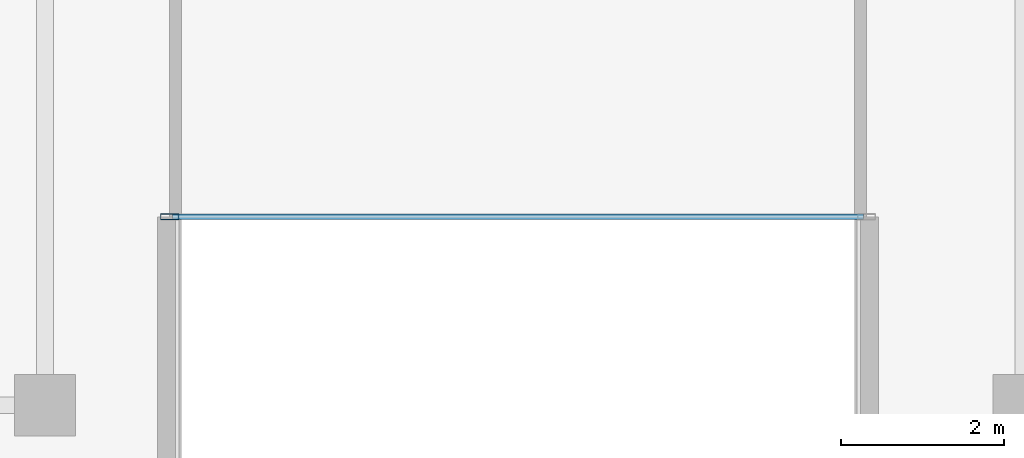
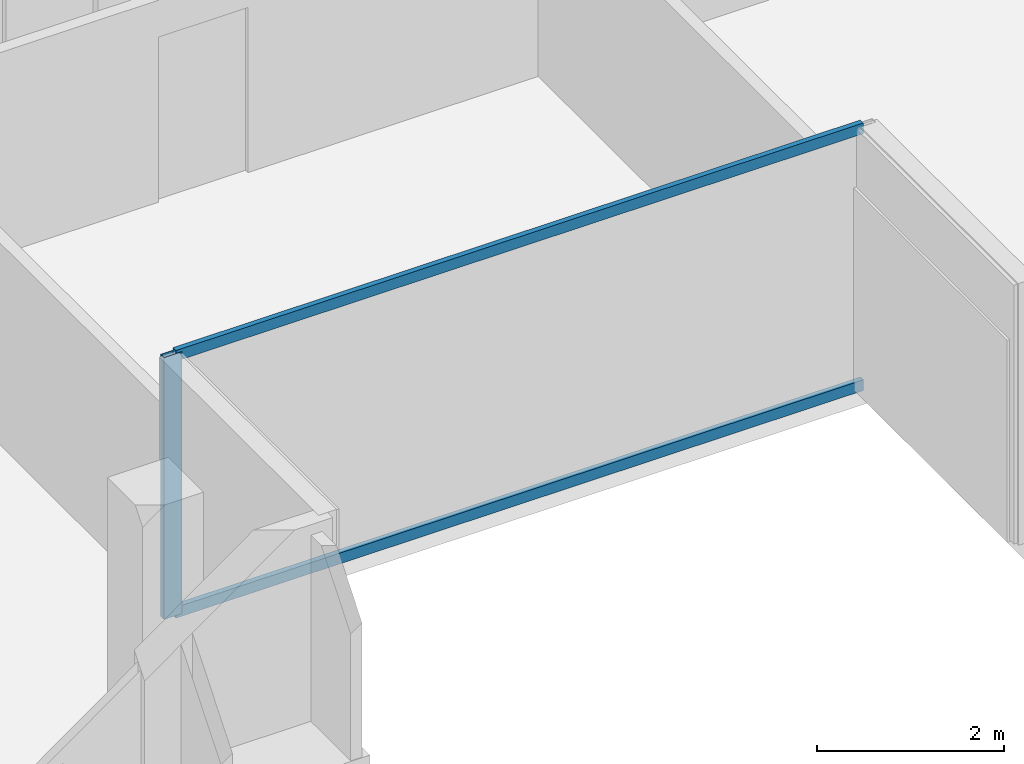
# One storey, part 2 of 23: 3 members, 1 element without a shape of its own.
"""IFC4 building model written with IfcOpenShell, lengths in metres."""

from ifc_helpers import new_model, si_unit, direction, frame, origin, origin_2d, place, context, subcontext, project, spatial, hollow_rectangle, extrude, material, layer, layer_set, material_profile, profile_set, type_object, element, aggregate, save


model = new_model("IFC4")

# Units and contexts
model_context = context("Model", 3, precision=1e-05, world=origin(), true_north=direction((0.0, 1.0)))
body_context = subcontext(model_context, "Body", "Model", "MODEL_VIEW")
ifc_project = project(units=[si_unit("LENGTHUNIT", "METRE"), si_unit("AREAUNIT", "SQUARE_METRE"), si_unit("VOLUMEUNIT", "CUBIC_METRE"), si_unit("PLANEANGLEUNIT", "RADIAN"), si_unit("MASSUNIT", "GRAM", prefix="KILO")], contexts=[model_context])

# Site, building, storey
site_placement = place(None, origin())
site = spatial("IfcSite", under=ifc_project, at=site_placement, CompositionType="ELEMENT")
building_placement = place(site_placement, origin())
building = spatial("IfcBuilding", under=site, at=building_placement, Name="Tanjung Sevakor Pilgrim Tower", CompositionType="ELEMENT")
storey_placement = place(building_placement, frame((0.0, 0.0, 215.489990234375)))
storey = spatial("IfcBuildingStorey", under=building, at=storey_placement, Name="L60", CompositionType="ELEMENT", Elevation=215.489990234375)

# Curtain wall, members
ifc_material_1 = material(Name="Aluminium 6063-T6 and Low-E Glass", Category="aluminium")
ifc_layer = layer(ifc_material_1, 0.179931640625)
ifc_layer_set = layer_set([ifc_layer], Name="CW-SYS-CLEFT")
curtain_wall_type = type_object("IfcCurtainWallType", Name="CW-SYS-CLEFT", PredefinedType="NOTDEFINED", material=ifc_layer_set)
curtain_wall_placement = place(storey_placement, origin())
curtain_wall = element("IfcCurtainWall", 1, at=curtain_wall_placement, inside=storey, type_object=curtain_wall_type, Name="L60 Curtain Wall CW-CLF-L60-2", PredefinedType="NOTDEFINED")
ifc_material_2 = material(Name="Aluminium 6063-T6", Category="aluminium")
ifc_material_profile_1 = material_profile(ifc_material_2, hollow_rectangle(XDim=0.074951171875, YDim=0.219970703125, WallThickness=0.0048828125, at=origin_2d()))
ifc_profile_set_1 = profile_set([ifc_material_profile_1], Name="Aluminium 6063-T6")
member_type_1 = type_object("IfcMemberType", Name="TYPE-CWM-2", PredefinedType="MULLION", material=ifc_profile_set_1)
member_1_placement = place(storey_placement, frame((43.527587890625, 15.56005859375, 0.0), z_axis=(0.0, 0.0, 1.0), x_axis=(0.0, 1.0, 0.0)))
member_1 = element("IfcMember", 2, at=member_1_placement, type_object=member_type_1, Name="CW-CLF mullion 1", PredefinedType="MULLION", context=body_context, shape_type="SweptSolid", body=[
    extrude(hollow_rectangle(XDim=0.074951171875, YDim=0.219970703125, WallThickness=0.0048828125, at=origin_2d()), origin(), (0.0, 0.0, 1.0), 3.409912109375),
])
ifc_material_3 = material(Name="Aluminium 6063-T6", Category="aluminium")
ifc_material_profile_2 = material_profile(ifc_material_3, hollow_rectangle(XDim=0.06494140625, YDim=0.139892578125, WallThickness=0.00390625, at=origin_2d()))
ifc_profile_set_2 = profile_set([ifc_material_profile_2], Name="Aluminium 6063-T6")
member_type_2 = type_object("IfcMemberType", Name="TYPE-CWT-1", PredefinedType="USERDEFINED", material=ifc_profile_set_2)
member_2_placement = place(storey_placement, frame((43.56494140625, 15.56005859375, 0.032470703125), z_axis=(1.0, 0.0, 0.0), x_axis=(0.0, 1.0, 0.0)))
member_2 = element("IfcMember", 3, at=member_2_placement, type_object=member_type_2, Name="CW-CLF transom 1.1", ObjectType="TRANSOM", PredefinedType="USERDEFINED", context=body_context, shape_type="SweptSolid", body=[
    extrude(hollow_rectangle(XDim=0.06494140625, YDim=0.139892578125, WallThickness=0.00390625, at=origin_2d()), origin(), (0.0, 0.0, 1.0), 8.469970703125),
])
member_3_placement = place(storey_placement, frame((43.56494140625, 15.56005859375, 3.37744140625), z_axis=(1.0, 0.0, 0.0), x_axis=(0.0, 1.0, 0.0)))
member_3 = element("IfcMember", 4, at=member_3_placement, type_object=member_type_2, Name="CW-CLF transom 1.2", ObjectType="TRANSOM", PredefinedType="USERDEFINED", context=body_context, shape_type="SweptSolid", body=[
    extrude(hollow_rectangle(XDim=0.06494140625, YDim=0.139892578125, WallThickness=0.00390625, at=origin_2d()), origin(), (0.0, 0.0, 1.0), 8.469970703125),
])
aggregate(curtain_wall, [member_1, member_2, member_3])

save(model, "model.ifc")
